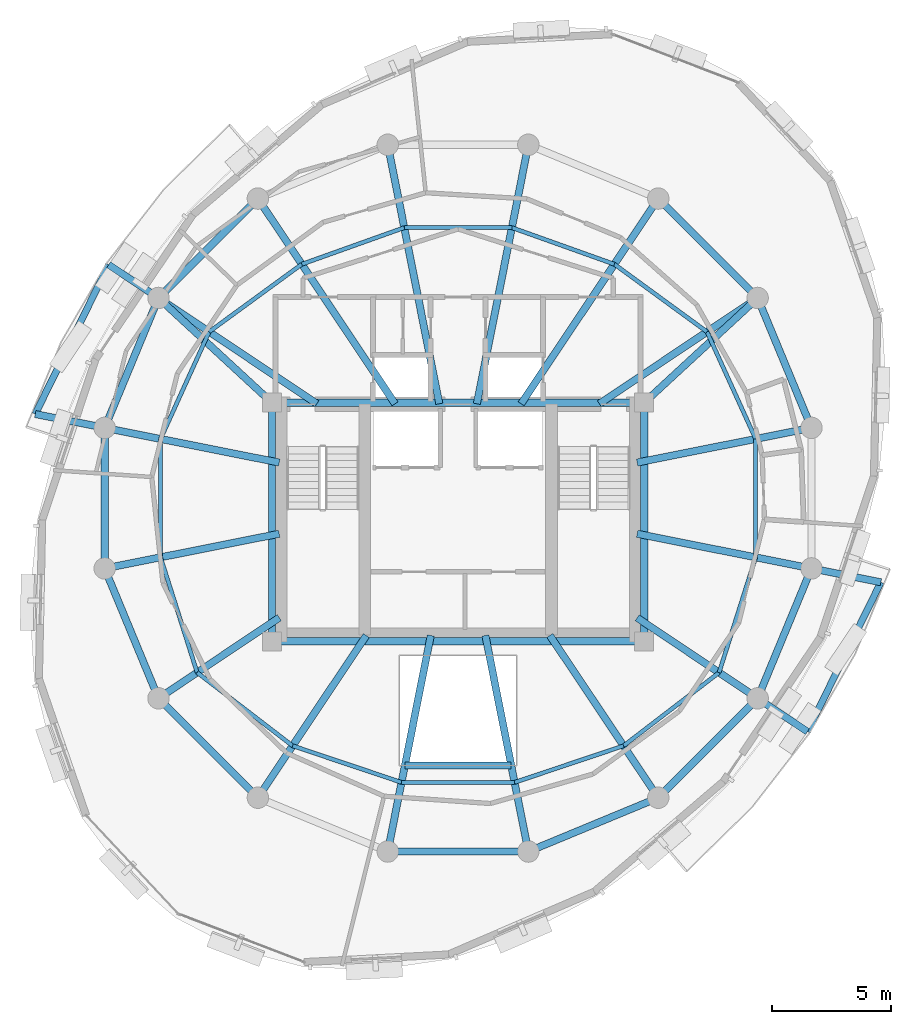
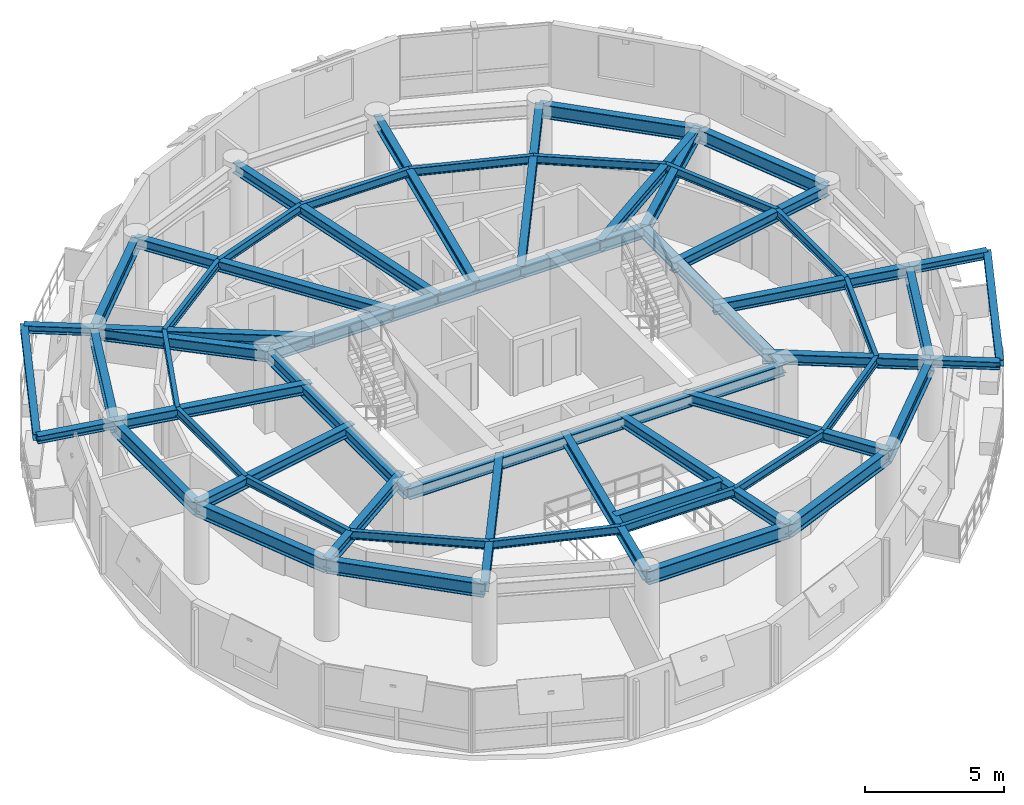
# One storey, part 3 of 11: 56 beams.
"""IFC4 building model written with IfcOpenShell, lengths in metres."""

from ifc_helpers import new_model, si_unit, direction, frame, origin, origin_2d, place, context, subcontext, project, spatial, i_section, extrude, material, material_profile, profile_set, type_object, element, save


model = new_model("IFC4")

# Units and contexts
model_context = context("Model", 3, precision=1e-05, world=origin(), true_north=direction((0.0, 1.0)))
body_context = subcontext(model_context, "Body", "Model", "MODEL_VIEW")
ifc_project = project(units=[si_unit("LENGTHUNIT", "METRE"), si_unit("AREAUNIT", "SQUARE_METRE"), si_unit("VOLUMEUNIT", "CUBIC_METRE"), si_unit("PLANEANGLEUNIT", "RADIAN"), si_unit("MASSUNIT", "GRAM", prefix="KILO"), si_unit("THERMODYNAMICTEMPERATUREUNIT", "KELVIN"), si_unit("POWERUNIT", "WATT")], contexts=[model_context])

# Site, building, storey
site_placement = place(None, origin())
site = spatial("IfcSite", under=ifc_project, at=site_placement, CompositionType="ELEMENT")
building_placement = place(site_placement, origin())
building = spatial("IfcBuilding", under=site, at=building_placement, Name="Ocrelia Relay Tower", CompositionType="ELEMENT")
storey_placement = place(building_placement, frame((0.0, 0.0, 262.800048828125)))
storey = spatial("IfcBuildingStorey", under=building, at=storey_placement, Name="L65", CompositionType="ELEMENT", Elevation=262.800048828125)

# Beams
ifc_material = material(Name="Steel S355", Category="steel")
ifc_material_profile_1 = material_profile(ifc_material, i_section(OverallWidth=0.280029296875, OverallDepth=0.27001953125, WebThickness=0.008056640625, FlangeThickness=0.012939453125, FilletRadius=0.02392578125, at=origin_2d()), Name="HEA 280")
ifc_profile_set_1 = profile_set([ifc_material_profile_1], Name="Steel S355")
beam_type_1 = type_object("IfcBeamType", Name="BM-HEA280", PredefinedType="BEAM", material=ifc_profile_set_1)
for number, where, z_axis, x_axis, name in (
    (1, (19.358642578125, 35.783203125, 3.244873046875), (-0.441365400219, -0.897327467255, 0.0), (0.897327467255, -0.441365400219, 0.0), "L66 Balcony Edge Trimmer Beam B1"),
    (2, (48.641357421875, 16.216796875, 3.244873046875), (0.441365400219, 0.897327467255, 0.0), (-0.897327467255, 0.441365400219, 0.0), "L66 Balcony Edge Trimmer Beam B2"),
):
    element("IfcBeam", number, at=place(storey_placement, frame(where, z_axis=z_axis, x_axis=x_axis)), inside=storey, type_object=beam_type_1, Name=name, PredefinedType="BEAM", context=body_context, shape_type="SweptSolid", body=[
        extrude(i_section(OverallWidth=0.280029296875, OverallDepth=0.27001953125, WebThickness=0.008056640625, FlangeThickness=0.012939453125, FilletRadius=0.02392578125, at=origin_2d()), origin(), (0.0, 0.0, 1.0), 6.974609375),
    ])
ifc_material_profile_2 = material_profile(ifc_material, i_section(OverallWidth=0.300048828125, OverallDepth=0.330078125, WebThickness=0.009521484375, FlangeThickness=0.0166015625, FilletRadius=0.027099609375, at=origin_2d()), Name="HEA 340")
ifc_profile_set_2 = profile_set([ifc_material_profile_2], Name="Steel S355")
beam_type_2 = type_object("IfcBeamType", Name="BM-HEA340", PredefinedType="BEAM", material=ifc_profile_set_2)
beam_1_placement = place(storey_placement, frame((21.44482421875, 34.38916015625, 3.21484375), z_axis=(-0.831451024105, 0.555598051216, 0.0), x_axis=(-0.555598051216, -0.831451024105, 0.0)))
element("IfcBeam", 3, at=beam_1_placement, inside=storey, type_object=beam_type_2, Name="L66 Balcony Cantilever Beam B1-1", PredefinedType="BEAM", context=body_context, shape_type="SweptSolid", body=[
    extrude(i_section(OverallWidth=0.300048828125, OverallDepth=0.330078125, WebThickness=0.009521484375, FlangeThickness=0.0166015625, FilletRadius=0.027099609375, at=origin_2d()), origin(), (0.0, 0.0, 1.0), 2.509033203125),
])
beam_2_placement = place(storey_placement, frame((19.190185546875, 28.94580078125, 3.21484375), z_axis=(-0.980782706118, 0.195103263378, 0.0), x_axis=(-0.195103263378, -0.980782706118, 0.0)))
element("IfcBeam", 4, at=beam_2_placement, inside=storey, type_object=beam_type_2, Name="L66 Balcony Cantilever Beam B1-2", PredefinedType="BEAM", context=body_context, shape_type="SweptSolid", body=[
    extrude(i_section(OverallWidth=0.300048828125, OverallDepth=0.330078125, WebThickness=0.009521484375, FlangeThickness=0.0166015625, FilletRadius=0.027099609375, at=origin_2d()), origin(), (0.0, 0.0, 1.0), 2.967041015625),
])
beam_3_placement = place(storey_placement, frame((46.55517578125, 17.61083984375, 3.21484375), z_axis=(0.831451024105, -0.555598051216, 0.0), x_axis=(0.555598051216, 0.831451024105, 0.0)))
element("IfcBeam", 5, at=beam_3_placement, inside=storey, type_object=beam_type_2, Name="L66 Balcony Cantilever Beam B2-1", PredefinedType="BEAM", context=body_context, shape_type="SweptSolid", body=[
    extrude(i_section(OverallWidth=0.300048828125, OverallDepth=0.330078125, WebThickness=0.009521484375, FlangeThickness=0.0166015625, FilletRadius=0.027099609375, at=origin_2d()), origin(), (0.0, 0.0, 1.0), 2.509033203125),
])
beam_4_placement = place(storey_placement, frame((48.809814453125, 23.05419921875, 3.21484375), z_axis=(0.980782706118, -0.195103263378, 0.0), x_axis=(0.195103263378, 0.980782706118, 0.0)))
element("IfcBeam", 6, at=beam_4_placement, inside=storey, type_object=beam_type_2, Name="L66 Balcony Cantilever Beam B2-2", PredefinedType="BEAM", context=body_context, shape_type="SweptSolid", body=[
    extrude(i_section(OverallWidth=0.300048828125, OverallDepth=0.330078125, WebThickness=0.009521484375, FlangeThickness=0.0166015625, FilletRadius=0.027099609375, at=origin_2d()), origin(), (0.0, 0.0, 1.0), 2.967041015625),
])
ifc_material_profile_3 = material_profile(ifc_material, i_section(OverallWidth=0.300048828125, OverallDepth=0.449951171875, WebThickness=0.013916015625, FlangeThickness=0.02587890625, FilletRadius=0.027099609375, at=origin_2d()), Name="HEB 450")
ifc_profile_set_3 = profile_set([ifc_material_profile_3], Name="Steel S355")
beam_type_3 = type_object("IfcBeamType", Name="BM-HEB450", PredefinedType="BEAM", material=ifc_profile_set_3)
beam_5_placement = place(storey_placement, frame((48.809814453125, 28.94580078125, 3.155029296875), z_axis=(-0.980789400571, -0.195069607393, 0.0), x_axis=(0.195069607393, -0.980789400571, 0.0)))
element("IfcBeam", 7, at=beam_5_placement, inside=storey, type_object=beam_type_3, Name="L65 Radial Floor Girder R01", PredefinedType="BEAM", context=body_context, shape_type="SweptSolid", body=[
    extrude(i_section(OverallWidth=0.300048828125, OverallDepth=0.449951171875, WebThickness=0.013916015625, FlangeThickness=0.02587890625, FilletRadius=0.027099609375, at=origin_2d()), origin(), (0.0, 0.0, 1.0), 7.447998046875),
])
beam_6_placement = place(storey_placement, frame((46.55517578125, 34.38916015625, 3.155029296875), z_axis=(-0.83146627118, -0.555575233331, 0.0), x_axis=(0.555575233331, -0.83146627118, 0.0)))
element("IfcBeam", 8, at=beam_6_placement, inside=storey, type_object=beam_type_3, Name="L65 Radial Floor Girder R02", PredefinedType="BEAM", context=body_context, shape_type="SweptSolid", body=[
    extrude(i_section(OverallWidth=0.300048828125, OverallDepth=0.449951171875, WebThickness=0.013916015625, FlangeThickness=0.02587890625, FilletRadius=0.027099609375, at=origin_2d()), origin(), (0.0, 0.0, 1.0), 7.98095703125),
])
beam_7_placement = place(storey_placement, frame((42.38916015625, 38.55517578125, 3.155029296875), z_axis=(-0.555582296999, -0.831461551283, 0.0), x_axis=(0.831461551283, -0.555582296999, 0.0)))
element("IfcBeam", 9, at=beam_7_placement, inside=storey, type_object=beam_type_3, Name="L65 Radial Floor Girder R03", PredefinedType="BEAM", context=body_context, shape_type="SweptSolid", body=[
    extrude(i_section(OverallWidth=0.300048828125, OverallDepth=0.449951171875, WebThickness=0.013916015625, FlangeThickness=0.02587890625, FilletRadius=0.027099609375, at=origin_2d()), origin(), (0.0, 0.0, 1.0), 10.34326171875),
])
for number, where, z_axis, x_axis, name in (
    (10, (36.94580078125, 40.809814453125, 3.155029296875), (-0.195093658495, -0.98078461673, 0.0), (0.98078461673, -0.195093658495, 0.0), "L65 Radial Floor Girder R04"),
    (11, (31.05419921875, 40.809814453125, 3.155029296875), (0.195093658495, -0.98078461673, 0.0), (0.98078461673, 0.195093658495, 0.0), "L65 Radial Floor Girder R05"),
):
    element("IfcBeam", number, at=place(storey_placement, frame(where, z_axis=z_axis, x_axis=x_axis)), inside=storey, type_object=beam_type_3, Name=name, PredefinedType="BEAM", context=body_context, shape_type="SweptSolid", body=[
        extrude(i_section(OverallWidth=0.300048828125, OverallDepth=0.449951171875, WebThickness=0.013916015625, FlangeThickness=0.02587890625, FilletRadius=0.027099609375, at=origin_2d()), origin(), (0.0, 0.0, 1.0), 11.0673828125),
    ])
beam_8_placement = place(storey_placement, frame((25.61083984375, 38.55517578125, 3.155029296875), z_axis=(0.555582296999, -0.831461551283, 0.0), x_axis=(0.831461551283, 0.555582296999, 0.0)))
element("IfcBeam", 12, at=beam_8_placement, inside=storey, type_object=beam_type_3, Name="L65 Radial Floor Girder R06", PredefinedType="BEAM", context=body_context, shape_type="SweptSolid", body=[
    extrude(i_section(OverallWidth=0.300048828125, OverallDepth=0.449951171875, WebThickness=0.013916015625, FlangeThickness=0.02587890625, FilletRadius=0.027099609375, at=origin_2d()), origin(), (0.0, 0.0, 1.0), 10.34326171875),
])
beam_9_placement = place(storey_placement, frame((21.44482421875, 34.38916015625, 3.155029296875), z_axis=(0.83146627118, -0.555575233331, 0.0), x_axis=(0.555575233331, 0.83146627118, 0.0)))
element("IfcBeam", 13, at=beam_9_placement, inside=storey, type_object=beam_type_3, Name="L65 Radial Floor Girder R07", PredefinedType="BEAM", context=body_context, shape_type="SweptSolid", body=[
    extrude(i_section(OverallWidth=0.300048828125, OverallDepth=0.449951171875, WebThickness=0.013916015625, FlangeThickness=0.02587890625, FilletRadius=0.027099609375, at=origin_2d()), origin(), (0.0, 0.0, 1.0), 7.98095703125),
])
for number, where, z_axis, x_axis, name in (
    (14, (19.190185546875, 28.94580078125, 3.155029296875), (0.980789122594, -0.195071005024, 0.0), (0.195071005024, 0.980789122594, 0.0), "L65 Radial Floor Girder R08"),
    (15, (19.190185546875, 23.05419921875, 3.155029296875), (0.980789122594, 0.195071005024, 0.0), (-0.195071005024, 0.980789122594, 0.0), "L65 Radial Floor Girder R09"),
):
    element("IfcBeam", number, at=place(storey_placement, frame(where, z_axis=z_axis, x_axis=x_axis)), inside=storey, type_object=beam_type_3, Name=name, PredefinedType="BEAM", context=body_context, shape_type="SweptSolid", body=[
        extrude(i_section(OverallWidth=0.300048828125, OverallDepth=0.449951171875, WebThickness=0.013916015625, FlangeThickness=0.02587890625, FilletRadius=0.027099609375, at=origin_2d()), origin(), (0.0, 0.0, 1.0), 7.4580078125),
    ])
beam_10_placement = place(storey_placement, frame((21.44482421875, 17.61083984375, 3.155029296875), z_axis=(0.831463505153, 0.555579372906, 0.0), x_axis=(-0.555579372906, 0.831463505153, 0.0)))
element("IfcBeam", 16, at=beam_10_placement, inside=storey, type_object=beam_type_3, Name="L65 Radial Floor Girder R10", PredefinedType="BEAM", context=body_context, shape_type="SweptSolid", body=[
    extrude(i_section(OverallWidth=0.300048828125, OverallDepth=0.449951171875, WebThickness=0.013916015625, FlangeThickness=0.02587890625, FilletRadius=0.027099609375, at=origin_2d()), origin(), (0.0, 0.0, 1.0), 6.085693359375),
])
beam_11_placement = place(storey_placement, frame((25.61083984375, 13.44482421875, 3.155029296875), z_axis=(0.555560991962, 0.831475786906, 0.0), x_axis=(-0.831475786906, 0.555560991962, 0.0)))
element("IfcBeam", 17, at=beam_11_placement, inside=storey, type_object=beam_type_3, Name="L65 Radial Floor Girder R11", PredefinedType="BEAM", context=body_context, shape_type="SweptSolid", body=[
    extrude(i_section(OverallWidth=0.300048828125, OverallDepth=0.449951171875, WebThickness=0.013916015625, FlangeThickness=0.02587890625, FilletRadius=0.027099609375, at=origin_2d()), origin(), (0.0, 0.0, 1.0), 8.178466796875),
])
for number, where, z_axis, x_axis, name in (
    (18, (31.05419921875, 11.190185546875, 3.155029296875), (0.195078600472, 0.98078761189, 0.0), (-0.98078761189, 0.195078600472, 0.0), "L65 Radial Floor Girder R12"),
    (19, (36.94580078125, 11.190185546875, 3.155029296875), (-0.195078600472, 0.98078761189, 0.0), (-0.98078761189, -0.195078600472, 0.0), "L65 Radial Floor Girder R13"),
):
    element("IfcBeam", number, at=place(storey_placement, frame(where, z_axis=z_axis, x_axis=x_axis)), inside=storey, type_object=beam_type_3, Name=name, PredefinedType="BEAM", context=body_context, shape_type="SweptSolid", body=[
        extrude(i_section(OverallWidth=0.300048828125, OverallDepth=0.449951171875, WebThickness=0.013916015625, FlangeThickness=0.02587890625, FilletRadius=0.027099609375, at=origin_2d()), origin(), (0.0, 0.0, 1.0), 9.232421875),
    ])
beam_12_placement = place(storey_placement, frame((42.38916015625, 13.44482421875, 3.155029296875), z_axis=(-0.555560991962, 0.831475786906, 0.0), x_axis=(-0.831475786906, -0.555560991962, 0.0)))
element("IfcBeam", 20, at=beam_12_placement, inside=storey, type_object=beam_type_3, Name="L65 Radial Floor Girder R14", PredefinedType="BEAM", context=body_context, shape_type="SweptSolid", body=[
    extrude(i_section(OverallWidth=0.300048828125, OverallDepth=0.449951171875, WebThickness=0.013916015625, FlangeThickness=0.02587890625, FilletRadius=0.027099609375, at=origin_2d()), origin(), (0.0, 0.0, 1.0), 8.178466796875),
])
beam_13_placement = place(storey_placement, frame((46.55517578125, 17.61083984375, 3.155029296875), z_axis=(-0.831468559595, 0.555571808504, 0.0), x_axis=(-0.555571808504, -0.831468559595, 0.0)))
element("IfcBeam", 21, at=beam_13_placement, inside=storey, type_object=beam_type_3, Name="L65 Radial Floor Girder R15", PredefinedType="BEAM", context=body_context, shape_type="SweptSolid", body=[
    extrude(i_section(OverallWidth=0.300048828125, OverallDepth=0.449951171875, WebThickness=0.013916015625, FlangeThickness=0.02587890625, FilletRadius=0.027099609375, at=origin_2d()), origin(), (0.0, 0.0, 1.0), 6.073974609375),
])
beam_14_placement = place(storey_placement, frame((48.809814453125, 23.05419921875, 3.155029296875), z_axis=(-0.980789400571, 0.195069607393, 0.0), x_axis=(-0.195069607393, -0.980789400571, 0.0)))
element("IfcBeam", 22, at=beam_14_placement, inside=storey, type_object=beam_type_3, Name="L65 Radial Floor Girder R16", PredefinedType="BEAM", context=body_context, shape_type="SweptSolid", body=[
    extrude(i_section(OverallWidth=0.300048828125, OverallDepth=0.449951171875, WebThickness=0.013916015625, FlangeThickness=0.02587890625, FilletRadius=0.027099609375, at=origin_2d()), origin(), (0.0, 0.0, 1.0), 7.447998046875),
])
ifc_material_profile_4 = material_profile(ifc_material, i_section(OverallWidth=0.300048828125, OverallDepth=0.5, WebThickness=0.014404296875, FlangeThickness=0.028076171875, FilletRadius=0.027099609375, at=origin_2d()), Name="HEB 500")
ifc_profile_set_4 = profile_set([ifc_material_profile_4], Name="Steel S355")
beam_type_4 = type_object("IfcBeamType", Name="BM-HEB500", PredefinedType="BEAM", material=ifc_profile_set_4)
for number, where, z_axis, x_axis, name in (
    (23, (26.199951171875, 20.0, 3.1298828125), (1.0, 0.0, 0.0), (0.0, 1.0, 0.0), "L65 Core Pilaster Tie Beam S"),
    (24, (26.199951171875, 30.0, 3.1298828125), (1.0, 0.0, 0.0), (0.0, 1.0, 0.0), "L65 Core Pilaster Tie Beam N"),
):
    element("IfcBeam", number, at=place(storey_placement, frame(where, z_axis=z_axis, x_axis=x_axis)), inside=storey, type_object=beam_type_4, Name=name, PredefinedType="BEAM", context=body_context, shape_type="SweptSolid", body=[
        extrude(i_section(OverallWidth=0.300048828125, OverallDepth=0.5, WebThickness=0.014404296875, FlangeThickness=0.028076171875, FilletRadius=0.027099609375, at=origin_2d()), origin(), (0.0, 0.0, 1.0), 15.60009765625),
    ])
for number, where, z_axis, x_axis, name in (
    (25, (26.199951171875, 20.0, 3.1298828125), (0.0, 1.0, 0.0), (-1.0, 0.0, 0.0), "L65 Core Pilaster Tie Beam W"),
    (26, (41.800048828125, 20.0, 3.1298828125), (0.0, 1.0, 0.0), (-1.0, 0.0, 0.0), "L65 Core Pilaster Tie Beam E"),
):
    element("IfcBeam", number, at=place(storey_placement, frame(where, z_axis=z_axis, x_axis=x_axis)), inside=storey, type_object=beam_type_4, Name=name, PredefinedType="BEAM", context=body_context, shape_type="SweptSolid", body=[
        extrude(i_section(OverallWidth=0.300048828125, OverallDepth=0.5, WebThickness=0.014404296875, FlangeThickness=0.028076171875, FilletRadius=0.027099609375, at=origin_2d()), origin(), (0.0, 0.0, 1.0), 10.0),
    ])
for number, where, z_axis, x_axis, name in (
    (27, (46.55517578125, 34.38916015625, 3.1298828125), (-0.734817908666, -0.678264433023, 0.0), (0.678264433023, -0.734817908666, 0.0), "L65 Core Pilaster Frame Tie Beam PT02"),
    (28, (21.44482421875, 34.38916015625, 3.1298828125), (0.734817908666, -0.678264433023, 0.0), (0.678264433023, 0.734817908666, 0.0), "L65 Core Pilaster Frame Tie Beam PT07"),
):
    element("IfcBeam", number, at=place(storey_placement, frame(where, z_axis=z_axis, x_axis=x_axis)), inside=storey, type_object=beam_type_4, Name=name, PredefinedType="BEAM", context=body_context, shape_type="SweptSolid", body=[
        extrude(i_section(OverallWidth=0.300048828125, OverallDepth=0.5, WebThickness=0.014404296875, FlangeThickness=0.028076171875, FilletRadius=0.027099609375, at=origin_2d()), origin(), (0.0, 0.0, 1.0), 6.47119140625),
    ])
ifc_material_profile_5 = material_profile(ifc_material, i_section(OverallWidth=0.300048828125, OverallDepth=0.550048828125, WebThickness=0.014892578125, FlangeThickness=0.029052734375, FilletRadius=0.027099609375, at=origin_2d()), Name="HEB 550")
ifc_profile_set_5 = profile_set([ifc_material_profile_5], Name="Steel S355")
beam_type_5 = type_object("IfcBeamType", Name="BM-HEB550", PredefinedType="BEAM", material=ifc_profile_set_5)
beam_15_placement = place(storey_placement, frame((31.772216796875, 14.800048828125, 3.10498046875), z_axis=(1.0, 0.0, 0.0), x_axis=(0.0, 1.0, 0.0)))
element("IfcBeam", 29, at=beam_15_placement, inside=storey, type_object=beam_type_5, Name="L65 Atrium South Trimmer Beam", PredefinedType="BEAM", context=body_context, shape_type="SweptSolid", body=[
    extrude(i_section(OverallWidth=0.300048828125, OverallDepth=0.550048828125, WebThickness=0.014892578125, FlangeThickness=0.029052734375, FilletRadius=0.027099609375, at=origin_2d()), origin(), (0.0, 0.0, 1.0), 4.45556640625),
])
ifc_material_profile_6 = material_profile(ifc_material, i_section(OverallWidth=0.300048828125, OverallDepth=0.60009765625, WebThickness=0.015380859375, FlangeThickness=0.030029296875, FilletRadius=0.027099609375, at=origin_2d()), Name="HEB 600")
ifc_profile_set_6 = profile_set([ifc_material_profile_6], Name="Steel S355")
beam_type_6 = type_object("IfcBeamType", Name="BM-HEB600", PredefinedType="BEAM", material=ifc_profile_set_6)
beam_16_placement = place(storey_placement, frame((48.809814453125, 28.94580078125, 3.079833984375), z_axis=(-0.382672624084, 0.923884009374, 0.0), x_axis=(-0.923884009374, -0.382672624084, 0.0)))
element("IfcBeam", 30, at=beam_16_placement, inside=storey, type_object=beam_type_6, Name="L65 Perimeter Spandrel Beam S01", PredefinedType="BEAM", context=body_context, shape_type="SweptSolid", body=[
    extrude(i_section(OverallWidth=0.300048828125, OverallDepth=0.60009765625, WebThickness=0.015380859375, FlangeThickness=0.030029296875, FilletRadius=0.027099609375, at=origin_2d()), origin(), (0.0, 0.0, 1.0), 5.891845703125),
])
for number, where, z_axis, x_axis, name in (
    (31, (46.55517578125, 34.38916015625, 3.079833984375), (-0.707106781187, 0.707106781187, 0.0), (-0.707106781187, -0.707106781187, 0.0), "L65 Perimeter Spandrel Beam S02"),
    (32, (25.61083984375, 38.55517578125, 3.079833984375), (-0.707106781187, -0.707106781187, 0.0), (0.707106781187, -0.707106781187, 0.0), "L65 Perimeter Spandrel Beam S06"),
):
    element("IfcBeam", number, at=place(storey_placement, frame(where, z_axis=z_axis, x_axis=x_axis)), inside=storey, type_object=beam_type_6, Name=name, PredefinedType="BEAM", context=body_context, shape_type="SweptSolid", body=[
        extrude(i_section(OverallWidth=0.300048828125, OverallDepth=0.60009765625, WebThickness=0.015380859375, FlangeThickness=0.030029296875, FilletRadius=0.027099609375, at=origin_2d()), origin(), (0.0, 0.0, 1.0), 5.8916015625),
    ])
beam_17_placement = place(storey_placement, frame((21.44482421875, 34.38916015625, 3.079833984375), z_axis=(-0.382672624084, -0.923884009374, 0.0), x_axis=(0.923884009374, -0.382672624084, 0.0)))
element("IfcBeam", 33, at=beam_17_placement, inside=storey, type_object=beam_type_6, Name="L65 Perimeter Spandrel Beam S07", PredefinedType="BEAM", context=body_context, shape_type="SweptSolid", body=[
    extrude(i_section(OverallWidth=0.300048828125, OverallDepth=0.60009765625, WebThickness=0.015380859375, FlangeThickness=0.030029296875, FilletRadius=0.027099609375, at=origin_2d()), origin(), (0.0, 0.0, 1.0), 5.891845703125),
])
beam_18_placement = place(storey_placement, frame((19.190185546875, 28.94580078125, 3.079833984375), z_axis=(0.0, -1.0, 0.0), x_axis=(1.0, 0.0, 0.0)))
element("IfcBeam", 34, at=beam_18_placement, inside=storey, type_object=beam_type_6, Name="L65 Perimeter Spandrel Beam S08", PredefinedType="BEAM", context=body_context, shape_type="SweptSolid", body=[
    extrude(i_section(OverallWidth=0.300048828125, OverallDepth=0.60009765625, WebThickness=0.015380859375, FlangeThickness=0.030029296875, FilletRadius=0.027099609375, at=origin_2d()), origin(), (0.0, 0.0, 1.0), 5.8916015625),
])
beam_19_placement = place(storey_placement, frame((19.190185546875, 23.05419921875, 3.079833984375), z_axis=(0.382672624084, -0.923884009374, 0.0), x_axis=(0.923884009374, 0.382672624084, 0.0)))
element("IfcBeam", 35, at=beam_19_placement, inside=storey, type_object=beam_type_6, Name="L65 Perimeter Spandrel Beam S09", PredefinedType="BEAM", context=body_context, shape_type="SweptSolid", body=[
    extrude(i_section(OverallWidth=0.300048828125, OverallDepth=0.60009765625, WebThickness=0.015380859375, FlangeThickness=0.030029296875, FilletRadius=0.027099609375, at=origin_2d()), origin(), (0.0, 0.0, 1.0), 5.891845703125),
])
for number, where, z_axis, x_axis, name in (
    (36, (21.44482421875, 17.61083984375, 3.079833984375), (0.707106781187, -0.707106781187, 0.0), (0.707106781187, 0.707106781187, 0.0), "L65 Perimeter Spandrel Beam S10"),
    (37, (31.05419921875, 11.190185546875, 3.079833984375), (1.0, 0.0, 0.0), (0.0, 1.0, 0.0), "L65 Perimeter Spandrel Beam S12"),
):
    element("IfcBeam", number, at=place(storey_placement, frame(where, z_axis=z_axis, x_axis=x_axis)), inside=storey, type_object=beam_type_6, Name=name, PredefinedType="BEAM", context=body_context, shape_type="SweptSolid", body=[
        extrude(i_section(OverallWidth=0.300048828125, OverallDepth=0.60009765625, WebThickness=0.015380859375, FlangeThickness=0.030029296875, FilletRadius=0.027099609375, at=origin_2d()), origin(), (0.0, 0.0, 1.0), 5.8916015625),
    ])
beam_20_placement = place(storey_placement, frame((36.94580078125, 11.190185546875, 3.079833984375), z_axis=(0.923884009374, 0.382672624084, 0.0), x_axis=(-0.382672624084, 0.923884009374, 0.0)))
element("IfcBeam", 38, at=beam_20_placement, inside=storey, type_object=beam_type_6, Name="L65 Perimeter Spandrel Beam S13", PredefinedType="BEAM", context=body_context, shape_type="SweptSolid", body=[
    extrude(i_section(OverallWidth=0.300048828125, OverallDepth=0.60009765625, WebThickness=0.015380859375, FlangeThickness=0.030029296875, FilletRadius=0.027099609375, at=origin_2d()), origin(), (0.0, 0.0, 1.0), 5.891845703125),
])
beam_21_placement = place(storey_placement, frame((42.38916015625, 13.44482421875, 3.079833984375), z_axis=(0.707106781187, 0.707106781187, 0.0), x_axis=(-0.707106781187, 0.707106781187, 0.0)))
element("IfcBeam", 39, at=beam_21_placement, inside=storey, type_object=beam_type_6, Name="L65 Perimeter Spandrel Beam S14", PredefinedType="BEAM", context=body_context, shape_type="SweptSolid", body=[
    extrude(i_section(OverallWidth=0.300048828125, OverallDepth=0.60009765625, WebThickness=0.015380859375, FlangeThickness=0.030029296875, FilletRadius=0.027099609375, at=origin_2d()), origin(), (0.0, 0.0, 1.0), 5.8916015625),
])
beam_22_placement = place(storey_placement, frame((46.55517578125, 17.61083984375, 3.079833984375), z_axis=(0.382672624084, 0.923884009374, 0.0), x_axis=(-0.923884009374, 0.382672624084, 0.0)))
element("IfcBeam", 40, at=beam_22_placement, inside=storey, type_object=beam_type_6, Name="L65 Perimeter Spandrel Beam S15", PredefinedType="BEAM", context=body_context, shape_type="SweptSolid", body=[
    extrude(i_section(OverallWidth=0.300048828125, OverallDepth=0.60009765625, WebThickness=0.015380859375, FlangeThickness=0.030029296875, FilletRadius=0.027099609375, at=origin_2d()), origin(), (0.0, 0.0, 1.0), 5.891845703125),
])
ifc_material_profile_7 = material_profile(ifc_material, i_section(OverallWidth=0.169921875, OverallDepth=0.360107421875, WebThickness=0.008056640625, FlangeThickness=0.0126953125, FilletRadius=0.01806640625, at=origin_2d()), Name="IPE 360")
ifc_profile_set_7 = profile_set([ifc_material_profile_7], Name="Steel S355")
beam_type_7 = type_object("IfcBeamType", Name="BM-IPE360", PredefinedType="JOIST", material=ifc_profile_set_7)
beam_23_placement = place(storey_placement, frame((46.472412109375, 28.48095703125, 3.199951171875), z_axis=(-0.413836514443, 0.91035121756, 0.0), x_axis=(-0.91035121756, -0.413836514443, 0.0)))
element("IfcBeam", 41, at=beam_23_placement, inside=storey, type_object=beam_type_7, Name="L65 Secondary Floor Joist J01", PredefinedType="JOIST", context=body_context, shape_type="SweptSolid", body=[
    extrude(i_section(OverallWidth=0.169921875, OverallDepth=0.360107421875, WebThickness=0.008056640625, FlangeThickness=0.0126953125, FilletRadius=0.01806640625, at=origin_2d()), origin(), (0.0, 0.0, 1.0), 4.931396484375),
])
beam_24_placement = place(storey_placement, frame((44.431640625, 32.97021484375, 3.199951171875), z_axis=(-0.80774844416, 0.58952731146, 0.0), x_axis=(-0.58952731146, -0.80774844416, 0.0)))
element("IfcBeam", 42, at=beam_24_placement, inside=storey, type_object=beam_type_7, Name="L65 Secondary Floor Joist J02", PredefinedType="JOIST", context=body_context, shape_type="SweptSolid", body=[
    extrude(i_section(OverallWidth=0.169921875, OverallDepth=0.360107421875, WebThickness=0.008056640625, FlangeThickness=0.0126953125, FilletRadius=0.01806640625, at=origin_2d()), origin(), (0.0, 0.0, 1.0), 4.80517578125),
])
beam_25_placement = place(storey_placement, frame((40.55029296875, 35.802978515625, 3.199951171875), z_axis=(-0.94180245035, 0.336166840298, 0.0), x_axis=(-0.336166840298, -0.94180245035, 0.0)))
element("IfcBeam", 43, at=beam_25_placement, inside=storey, type_object=beam_type_7, Name="L65 Secondary Floor Joist J03", PredefinedType="JOIST", context=body_context, shape_type="SweptSolid", body=[
    extrude(i_section(OverallWidth=0.169921875, OverallDepth=0.360107421875, WebThickness=0.008056640625, FlangeThickness=0.0126953125, FilletRadius=0.01806640625, at=origin_2d()), origin(), (0.0, 0.0, 1.0), 4.560791015625),
])
beam_26_placement = place(storey_placement, frame((36.2548828125, 37.336181640625, 3.199951171875), z_axis=(-1.0, 0.0, 0.0), x_axis=(0.0, -1.0, 0.0)))
element("IfcBeam", 44, at=beam_26_placement, inside=storey, type_object=beam_type_7, Name="L65 Secondary Floor Joist J04", PredefinedType="JOIST", context=body_context, shape_type="SweptSolid", body=[
    extrude(i_section(OverallWidth=0.169921875, OverallDepth=0.360107421875, WebThickness=0.008056640625, FlangeThickness=0.0126953125, FilletRadius=0.01806640625, at=origin_2d()), origin(), (0.0, 0.0, 1.0), 4.509765625),
])
beam_27_placement = place(storey_placement, frame((31.7451171875, 37.336181640625, 3.199951171875), z_axis=(-0.94180245035, -0.336166840298, 0.0), x_axis=(0.336166840298, -0.94180245035, 0.0)))
element("IfcBeam", 45, at=beam_27_placement, inside=storey, type_object=beam_type_7, Name="L65 Secondary Floor Joist J05", PredefinedType="JOIST", context=body_context, shape_type="SweptSolid", body=[
    extrude(i_section(OverallWidth=0.169921875, OverallDepth=0.360107421875, WebThickness=0.008056640625, FlangeThickness=0.0126953125, FilletRadius=0.01806640625, at=origin_2d()), origin(), (0.0, 0.0, 1.0), 4.560791015625),
])
beam_28_placement = place(storey_placement, frame((27.44970703125, 35.802978515625, 3.199951171875), z_axis=(-0.80774844416, -0.58952731146, 0.0), x_axis=(0.58952731146, -0.80774844416, 0.0)))
element("IfcBeam", 46, at=beam_28_placement, inside=storey, type_object=beam_type_7, Name="L65 Secondary Floor Joist J06", PredefinedType="JOIST", context=body_context, shape_type="SweptSolid", body=[
    extrude(i_section(OverallWidth=0.169921875, OverallDepth=0.360107421875, WebThickness=0.008056640625, FlangeThickness=0.0126953125, FilletRadius=0.01806640625, at=origin_2d()), origin(), (0.0, 0.0, 1.0), 4.80517578125),
])
beam_29_placement = place(storey_placement, frame((23.568359375, 32.97021484375, 3.199951171875), z_axis=(-0.413205957462, -0.910637599003, 0.0), x_axis=(0.910637599003, -0.413205957462, 0.0)))
element("IfcBeam", 47, at=beam_29_placement, inside=storey, type_object=beam_type_7, Name="L65 Secondary Floor Joist J07", PredefinedType="JOIST", context=body_context, shape_type="SweptSolid", body=[
    extrude(i_section(OverallWidth=0.169921875, OverallDepth=0.360107421875, WebThickness=0.008056640625, FlangeThickness=0.0126953125, FilletRadius=0.01806640625, at=origin_2d()), origin(), (0.0, 0.0, 1.0), 4.9306640625),
])
beam_30_placement = place(storey_placement, frame((21.531005859375, 28.480224609375, 3.199951171875), z_axis=(0.0, -1.0, 0.0), x_axis=(1.0, 0.0, 0.0)))
element("IfcBeam", 48, at=beam_30_placement, inside=storey, type_object=beam_type_7, Name="L65 Secondary Floor Joist J08", PredefinedType="JOIST", context=body_context, shape_type="SweptSolid", body=[
    extrude(i_section(OverallWidth=0.169921875, OverallDepth=0.360107421875, WebThickness=0.008056640625, FlangeThickness=0.0126953125, FilletRadius=0.01806640625, at=origin_2d()), origin(), (0.0, 0.0, 1.0), 4.96044921875),
])
beam_31_placement = place(storey_placement, frame((21.531005859375, 23.519775390625, 3.199951171875), z_axis=(0.302732054046, -0.953075707094, 0.0), x_axis=(0.953075707094, 0.302732054046, 0.0)))
element("IfcBeam", 49, at=beam_31_placement, inside=storey, type_object=beam_type_7, Name="L65 Secondary Floor Joist J09", PredefinedType="JOIST", context=body_context, shape_type="SweptSolid", body=[
    extrude(i_section(OverallWidth=0.169921875, OverallDepth=0.360107421875, WebThickness=0.008056640625, FlangeThickness=0.0126953125, FilletRadius=0.01806640625, at=origin_2d()), origin(), (0.0, 0.0, 1.0), 5.064453125),
])
beam_32_placement = place(storey_placement, frame((23.064208984375, 18.69287109375, 3.199951171875), z_axis=(0.793147291367, -0.60902986314, 0.0), x_axis=(0.60902986314, 0.793147291367, 0.0)))
element("IfcBeam", 50, at=beam_32_placement, inside=storey, type_object=beam_type_7, Name="L65 Secondary Floor Joist J10", PredefinedType="JOIST", context=body_context, shape_type="SweptSolid", body=[
    extrude(i_section(OverallWidth=0.169921875, OverallDepth=0.360107421875, WebThickness=0.008056640625, FlangeThickness=0.0126953125, FilletRadius=0.01806640625, at=origin_2d()), origin(), (0.0, 0.0, 1.0), 5.044189453125),
])
beam_33_placement = place(storey_placement, frame((27.06494140625, 15.620849609375, 3.199951171875), z_axis=(0.947976335242, -0.318340804519, 0.0), x_axis=(0.318340804519, 0.947976335242, 0.0)))
element("IfcBeam", 51, at=beam_33_placement, inside=storey, type_object=beam_type_7, Name="L65 Secondary Floor Joist J11", PredefinedType="JOIST", context=body_context, shape_type="SweptSolid", body=[
    extrude(i_section(OverallWidth=0.169921875, OverallDepth=0.360107421875, WebThickness=0.008056640625, FlangeThickness=0.0126953125, FilletRadius=0.01806640625, at=origin_2d()), origin(), (0.0, 0.0, 1.0), 4.816162109375),
])
beam_34_placement = place(storey_placement, frame((31.630615234375, 14.087646484375, 3.199951171875), z_axis=(1.0, 0.0, 0.0), x_axis=(0.0, 1.0, 0.0)))
element("IfcBeam", 52, at=beam_34_placement, inside=storey, type_object=beam_type_7, Name="L65 Secondary Floor Joist J12", PredefinedType="JOIST", context=body_context, shape_type="SweptSolid", body=[
    extrude(i_section(OverallWidth=0.169921875, OverallDepth=0.360107421875, WebThickness=0.008056640625, FlangeThickness=0.0126953125, FilletRadius=0.01806640625, at=origin_2d()), origin(), (0.0, 0.0, 1.0), 4.73876953125),
])
beam_35_placement = place(storey_placement, frame((36.369384765625, 14.087646484375, 3.199951171875), z_axis=(0.947976335242, 0.318340804519, 0.0), x_axis=(-0.318340804519, 0.947976335242, 0.0)))
element("IfcBeam", 53, at=beam_35_placement, inside=storey, type_object=beam_type_7, Name="L65 Secondary Floor Joist J13", PredefinedType="JOIST", context=body_context, shape_type="SweptSolid", body=[
    extrude(i_section(OverallWidth=0.169921875, OverallDepth=0.360107421875, WebThickness=0.008056640625, FlangeThickness=0.0126953125, FilletRadius=0.01806640625, at=origin_2d()), origin(), (0.0, 0.0, 1.0), 4.816162109375),
])
beam_36_placement = place(storey_placement, frame((40.93505859375, 15.620849609375, 3.199951171875), z_axis=(0.793608697717, 0.608428496134, 0.0), x_axis=(-0.608428496134, 0.793608697717, 0.0)))
element("IfcBeam", 54, at=beam_36_placement, inside=storey, type_object=beam_type_7, Name="L65 Secondary Floor Joist J14", PredefinedType="JOIST", context=body_context, shape_type="SweptSolid", body=[
    extrude(i_section(OverallWidth=0.169921875, OverallDepth=0.360107421875, WebThickness=0.008056640625, FlangeThickness=0.0126953125, FilletRadius=0.01806640625, at=origin_2d()), origin(), (0.0, 0.0, 1.0), 5.04541015625),
])
beam_37_placement = place(storey_placement, frame((44.939208984375, 18.690673828125, 3.199951171875), z_axis=(0.302648624063, 0.953102203519, 0.0), x_axis=(-0.953102203519, 0.302648624063, 0.0)))
element("IfcBeam", 55, at=beam_37_placement, inside=storey, type_object=beam_type_7, Name="L65 Secondary Floor Joist J15", PredefinedType="JOIST", context=body_context, shape_type="SweptSolid", body=[
    extrude(i_section(OverallWidth=0.169921875, OverallDepth=0.360107421875, WebThickness=0.008056640625, FlangeThickness=0.0126953125, FilletRadius=0.01806640625, at=origin_2d()), origin(), (0.0, 0.0, 1.0), 5.06591796875),
])
beam_38_placement = place(storey_placement, frame((46.472412109375, 23.51904296875, 3.199951171875), z_axis=(0.0, 1.0, 0.0), x_axis=(-1.0, 0.0, 0.0)))
element("IfcBeam", 56, at=beam_38_placement, inside=storey, type_object=beam_type_7, Name="L65 Secondary Floor Joist J16", PredefinedType="JOIST", context=body_context, shape_type="SweptSolid", body=[
    extrude(i_section(OverallWidth=0.169921875, OverallDepth=0.360107421875, WebThickness=0.008056640625, FlangeThickness=0.0126953125, FilletRadius=0.01806640625, at=origin_2d()), origin(), (0.0, 0.0, 1.0), 4.9619140625),
])

save(model, "model.ifc")
